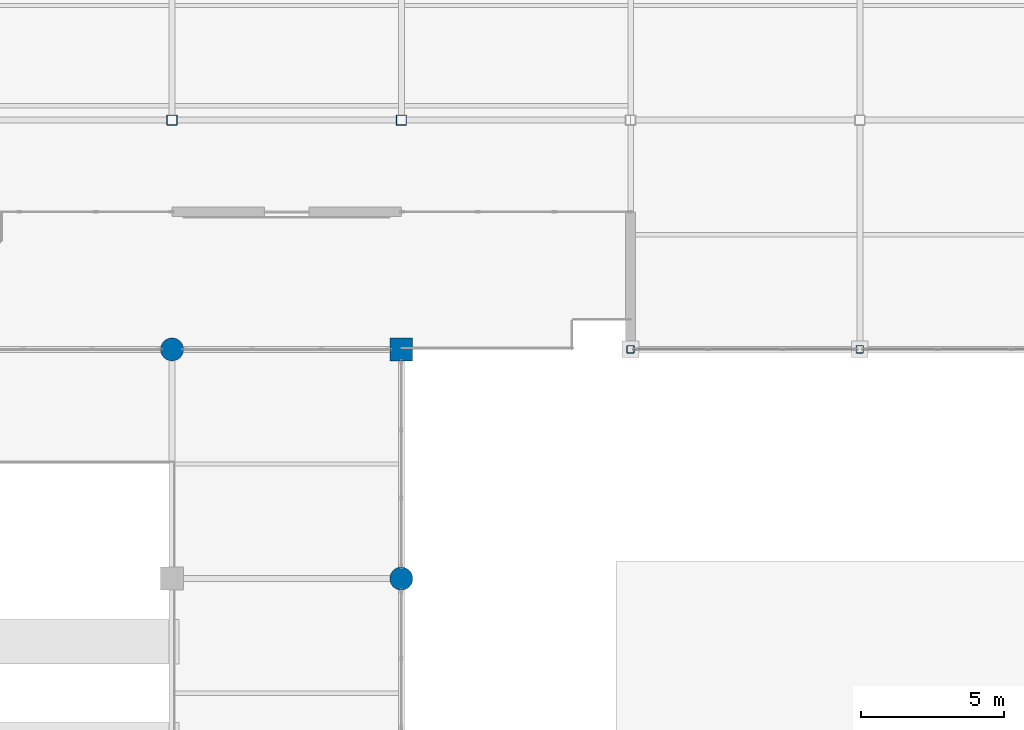
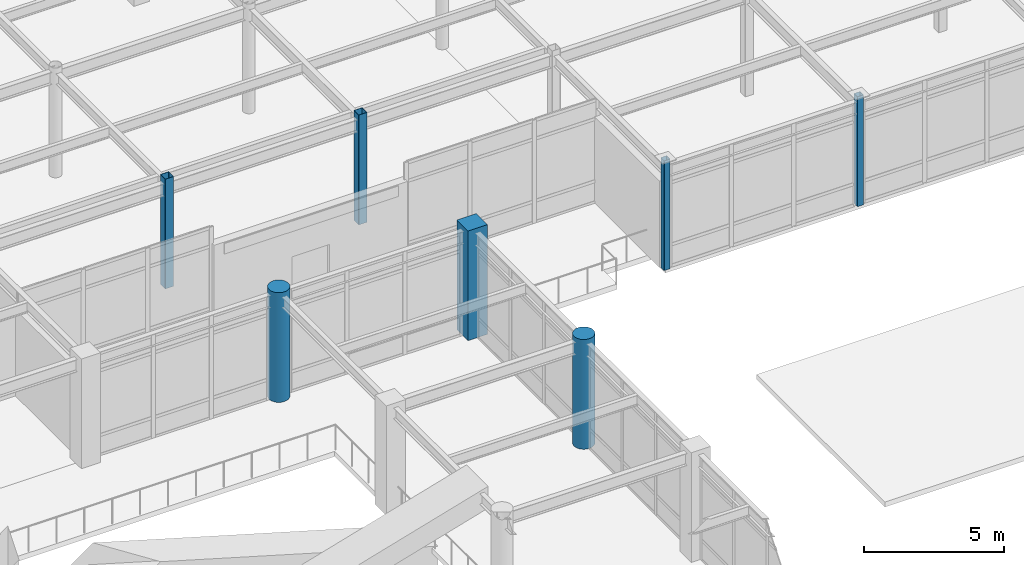
# One storey, part 13 of 117: 7 columns.
"""IFC4 building model written with IfcOpenShell, lengths in metres."""

from ifc_helpers import new_model, si_unit, direction, frame, origin, origin_2d, place, context, subcontext, project, spatial, rectangle, hollow_rectangle, circle, extrude, material, material_profile, profile_set, type_object, element, save


model = new_model("IFC4")

# Units and contexts
model_context = context("Model", 3, precision=1e-05, world=origin(), true_north=direction((0.0, 1.0)))
body_context = subcontext(model_context, "Body", "Model", "MODEL_VIEW")
ifc_project = project(units=[si_unit("LENGTHUNIT", "METRE"), si_unit("AREAUNIT", "SQUARE_METRE"), si_unit("VOLUMEUNIT", "CUBIC_METRE"), si_unit("PLANEANGLEUNIT", "RADIAN"), si_unit("MASSUNIT", "GRAM", prefix="KILO")], contexts=[model_context])

# Site, building, storey
site_placement = place(None, origin())
site = spatial("IfcSite", under=ifc_project, at=site_placement, CompositionType="ELEMENT")
building_placement = place(site_placement, origin())
building = spatial("IfcBuilding", under=site, at=building_placement, Name="Solmirada Galleria", CompositionType="ELEMENT")
storey_placement = place(building_placement, frame((0.0, 0.0, 5.60009765625)))
storey = spatial("IfcBuildingStorey", under=building, at=storey_placement, Name="L01", CompositionType="ELEMENT", Elevation=5.60009765625)

# Columns
ifc_material_1 = material(Name="Concrete C40/50", Category="concrete")
ifc_material_profile_1 = material_profile(ifc_material_1, circle(Radius=0.39990234375, at=origin_2d()), Name="RCCOL800")
ifc_profile_set_1 = profile_set([ifc_material_profile_1], Name="Concrete C40/50")
column_type_1 = type_object("IfcColumnType", Name="COL-CIR800", PredefinedType="COLUMN", material=ifc_profile_set_1)
for number, where, z_axis, x_axis, name in (
    (1, (104.0, 72.0, 0.0), (0.0, 0.0, 1.0), (1.0, 0.0, 0.0), "Structural column L01-0758"),
    (2, (112.0, 64.0, 0.0), (0.0, 0.0, 1.0), (1.0, 0.0, 0.0), "Structural column L01-0865"),
):
    element("IfcColumn", number, at=place(storey_placement, frame(where, z_axis=z_axis, x_axis=x_axis)), inside=storey, type_object=column_type_1, Name=name, PredefinedType="COLUMN", context=body_context, shape_type="SweptSolid", body=[
        extrude(circle(Radius=0.39990234375, at=origin_2d()), origin(), (0.0, 0.0, 1.0), 4.7998046875),
    ])
ifc_material_2 = material(Name="Steel S355 / ASTM A500 Grade C", Category="steel")
ifc_material_profile_2 = material_profile(ifc_material_2, hollow_rectangle(XDim=0.25390625, YDim=0.25390625, WallThickness=0.0087890625, InnerFilletRadius=0.0087890625, OuterFilletRadius=0.017822265625, at=origin_2d()), Name="HSS10X10X3/8")
ifc_profile_set_2 = profile_set([ifc_material_profile_2], Name="Steel S355 / ASTM A500 Grade C")
column_type_2 = type_object("IfcColumnType", Name="COL-HSS10", PredefinedType="COLUMN", material=ifc_profile_set_2)
for number, where, z_axis, x_axis, name in (
    (3, (120.0, 72.0, 0.0), (0.0, 0.0, 1.0), (1.0, 0.0, 0.0), "Structural column L01-0970"),
    (4, (128.0, 72.0, 0.0), (0.0, 0.0, 1.0), (1.0, 0.0, 0.0), "Structural column L01-1053"),
):
    element("IfcColumn", number, at=place(storey_placement, frame(where, z_axis=z_axis, x_axis=x_axis)), inside=storey, type_object=column_type_2, Name=name, PredefinedType="COLUMN", context=body_context, shape_type="SweptSolid", body=[
        extrude(hollow_rectangle(XDim=0.25390625, YDim=0.25390625, WallThickness=0.0087890625, InnerFilletRadius=0.0087890625, OuterFilletRadius=0.017822265625, at=origin_2d()), origin(), (0.0, 0.0, 1.0), 4.7998046875),
    ])
ifc_material_profile_3 = material_profile(ifc_material_2, hollow_rectangle(XDim=0.35595703125, YDim=0.35595703125, WallThickness=0.01171875, InnerFilletRadius=0.01171875, OuterFilletRadius=0.023681640625, at=origin_2d()), Name="HSS14X14X1/2")
ifc_profile_set_3 = profile_set([ifc_material_profile_3], Name="Steel S355 / ASTM A500 Grade C")
column_type_3 = type_object("IfcColumnType", Name="COL-HSS14", PredefinedType="COLUMN", material=ifc_profile_set_3)
for number, where, z_axis, x_axis, name in (
    (5, (104.0, 80.0, 0.0), (0.0, 0.0, 1.0), (1.0, 0.0, 0.0), "Structural column L01-0767"),
    (6, (112.0, 80.0, 0.0), (0.0, 0.0, 1.0), (1.0, 0.0, 0.0), "Structural column L01-0883"),
):
    element("IfcColumn", number, at=place(storey_placement, frame(where, z_axis=z_axis, x_axis=x_axis)), inside=storey, type_object=column_type_3, Name=name, PredefinedType="COLUMN", context=body_context, shape_type="SweptSolid", body=[
        extrude(hollow_rectangle(XDim=0.35595703125, YDim=0.35595703125, WallThickness=0.01171875, InnerFilletRadius=0.01171875, OuterFilletRadius=0.023681640625, at=origin_2d()), origin(), (0.0, 0.0, 1.0), 4.7998046875),
    ])
ifc_material_profile_4 = material_profile(ifc_material_1, rectangle(XDim=0.800048828125, YDim=0.800048828125, at=origin_2d()), Name="RC800X800")
ifc_profile_set_4 = profile_set([ifc_material_profile_4], Name="Concrete C40/50")
column_type_4 = type_object("IfcColumnType", Name="COL-RC800", PredefinedType="COLUMN", material=ifc_profile_set_4)
column_placement = place(storey_placement, frame((112.0, 72.0, 0.0), z_axis=(0.0, 0.0, 1.0), x_axis=(1.0, 0.0, 0.0)))
element("IfcColumn", 7, at=column_placement, inside=storey, type_object=column_type_4, Name="Structural column L01-0874", PredefinedType="COLUMN", context=body_context, shape_type="SweptSolid", body=[
    extrude(rectangle(XDim=0.800048828125, YDim=0.800048828125, at=origin_2d()), origin(), (0.0, 0.0, 1.0), 4.7998046875),
])

save(model, "model.ifc")
